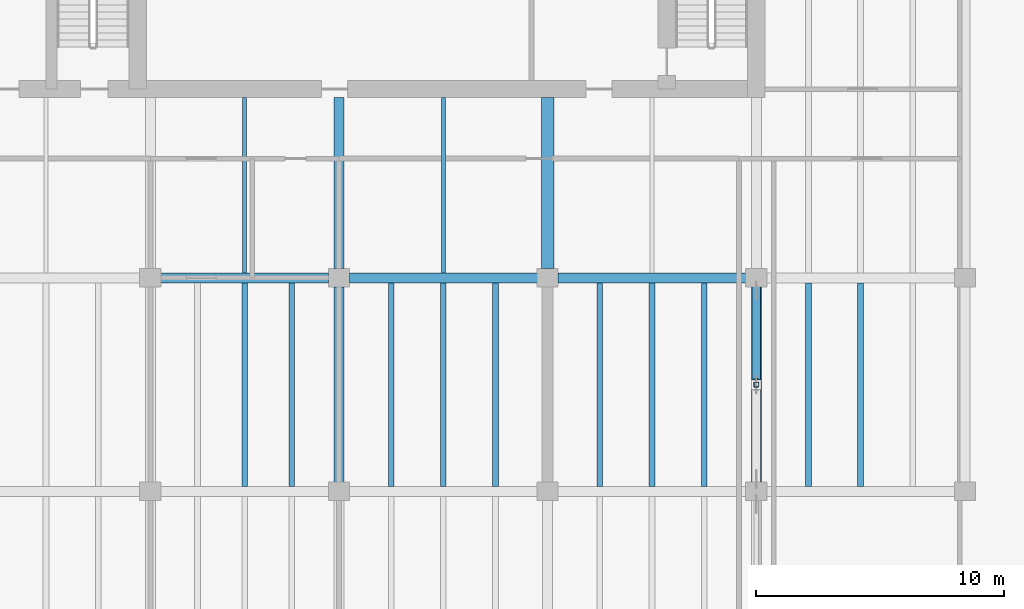
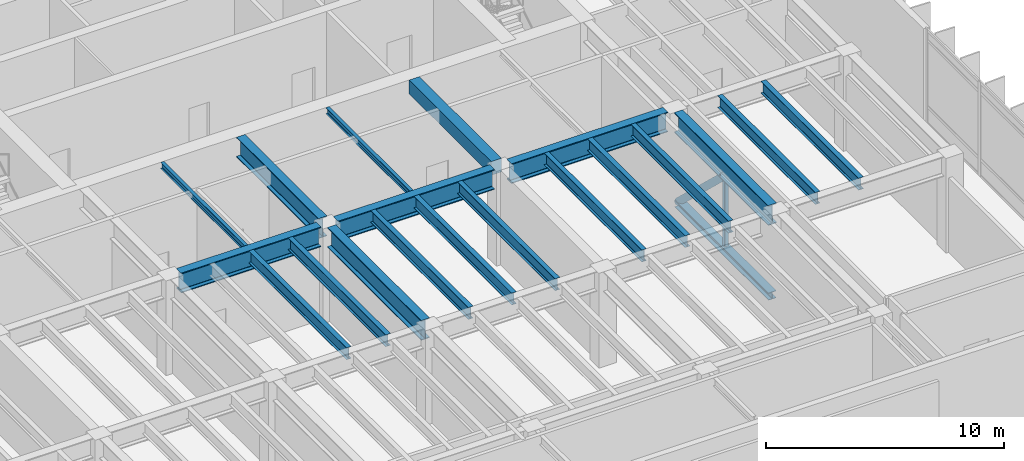
# One storey, part 8 of 23: 20 beams, 2 members.
"""IFC4 building model written with IfcOpenShell, lengths in metres."""

from ifc_helpers import new_model, si_unit, direction, frame, origin, origin_2d, place, context, subcontext, project, spatial, rectangle, hollow_rectangle, hollow_circle, i_section, extrude, material, material_profile, profile_set, type_object, element, save


model = new_model("IFC4")

# Units and contexts
model_context = context("Model", 3, precision=1e-05, world=origin(), true_north=direction((0.0, 1.0)))
body_context = subcontext(model_context, "Body", "Model", "MODEL_VIEW")
ifc_project = project(units=[si_unit("LENGTHUNIT", "METRE"), si_unit("AREAUNIT", "SQUARE_METRE"), si_unit("VOLUMEUNIT", "CUBIC_METRE"), si_unit("PLANEANGLEUNIT", "RADIAN"), si_unit("MASSUNIT", "GRAM", prefix="KILO")], contexts=[model_context])

# Site, building, storey
site_placement = place(None, origin())
site = spatial("IfcSite", under=ifc_project, at=site_placement, CompositionType="ELEMENT")
building_placement = place(site_placement, origin())
building = spatial("IfcBuilding", under=site, at=building_placement, Name="Caelmar Bay Residences", CompositionType="ELEMENT")
storey_placement = place(building_placement, frame((0.0, 0.0, 221.39990234375)))
storey = spatial("IfcBuildingStorey", under=building, at=storey_placement, Name="L62", CompositionType="ELEMENT", Elevation=221.39990234375)

# Beams
ifc_material_1 = material(Name="Steel ASTM A992 Grade 50", Category="steel")
ifc_material_profile_1 = material_profile(ifc_material_1, i_section(OverallWidth=0.373046875, OverallDepth=0.373046875, WebThickness=0.016357421875, FlangeThickness=0.026123046875, FilletRadius=0.01513671875, at=origin_2d()), Name="W14X132")
ifc_profile_set_1 = profile_set([ifc_material_profile_1], Name="Steel ASTM A992 Grade 50")
beam_type_1 = type_object("IfcBeamType", Name="BM-CHD-W14X132", PredefinedType="BEAM", material=ifc_profile_set_1)
beam_1_placement = place(storey_placement, frame((59.5, 21.1650390625, 0.1865234375), z_axis=(0.0, 1.0, 0.0), x_axis=(-1.0, 0.0, 0.0)))
element("IfcBeam", 1, at=beam_1_placement, inside=storey, type_object=beam_type_1, Name="L62 Outrigger Bottom Chord 4", PredefinedType="BEAM", context=body_context, shape_type="SweptSolid", body=[
    extrude(i_section(OverallWidth=0.373046875, OverallDepth=0.373046875, WebThickness=0.016357421875, FlangeThickness=0.026123046875, FilletRadius=0.01513671875, at=origin_2d()), origin(), (0.0, 0.0, 1.0), 7.869873046875),
])
ifc_material_profile_2 = material_profile(ifc_material_1, i_section(OverallWidth=0.404052734375, OverallDepth=1.02099609375, WebThickness=0.025390625, FlangeThickness=0.0458984375, FilletRadius=0.02294921875, at=origin_2d()), Name="W40X324")
ifc_profile_set_2 = profile_set([ifc_material_profile_2], Name="Steel ASTM A992 Grade 50")
beam_type_2 = type_object("IfcBeamType", Name="BM-GRD-W40X324", PredefinedType="BEAM", material=ifc_profile_set_2)
beam_2_placement = place(storey_placement, frame((35.514892578125, 29.39990234375, 4.339599609375), z_axis=(1.0, 0.0, 0.0), x_axis=(0.0, 1.0, 0.0)))
element("IfcBeam", 2, at=beam_2_placement, inside=storey, type_object=beam_type_2, Name="L62 East-West Girder Y=29.40 (35.1-42.7)", PredefinedType="BEAM", context=body_context, shape_type="SweptSolid", body=[
    extrude(i_section(OverallWidth=0.404052734375, OverallDepth=1.02099609375, WebThickness=0.025390625, FlangeThickness=0.0458984375, FilletRadius=0.02294921875, at=origin_2d()), origin(), (0.0, 0.0, 1.0), 6.77001953125),
])
for number, where, z_axis, x_axis, name in (
    (3, (43.114990234375, 29.39990234375, 4.339599609375), (1.0, 0.0, 0.0), (0.0, 1.0, 0.0), "L62 East-West Girder Y=29.40 (42.7-51.1)"),
    (4, (51.514892578125, 29.39990234375, 4.339599609375), (1.0, 0.0, 0.0), (0.0, 1.0, 0.0), "L62 East-West Girder Y=29.40 (51.1-59.5)"),
):
    element("IfcBeam", number, at=place(storey_placement, frame(where, z_axis=z_axis, x_axis=x_axis)), inside=storey, type_object=beam_type_2, Name=name, PredefinedType="BEAM", context=body_context, shape_type="SweptSolid", body=[
        extrude(i_section(OverallWidth=0.404052734375, OverallDepth=1.02099609375, WebThickness=0.025390625, FlangeThickness=0.0458984375, FilletRadius=0.02294921875, at=origin_2d()), origin(), (0.0, 0.0, 1.0), 7.570068359375),
    ])
beam_3_placement = place(storey_placement, frame((42.699951171875, 29.764892578125, 4.339599609375), z_axis=(0.0, 1.0, 0.0), x_axis=(-1.0, 0.0, 0.0)))
element("IfcBeam", 5, at=beam_3_placement, inside=storey, type_object=beam_type_2, Name="L62 Core Tie Girder X=42.70", PredefinedType="BEAM", context=body_context, shape_type="SweptSolid", body=[
    extrude(i_section(OverallWidth=0.404052734375, OverallDepth=1.02099609375, WebThickness=0.025390625, FlangeThickness=0.0458984375, FilletRadius=0.02294921875, at=origin_2d()), origin(), (0.0, 0.0, 1.0), 6.885009765625),
])
for number, where, z_axis, x_axis, name in (
    (6, (42.699951171875, 21.1650390625, 4.339599609375), (0.0, 1.0, 0.0), (-1.0, 0.0, 0.0), "L62 North-South Girder X=42.70 (20.8-29.4)"),
    (7, (59.5, 21.1650390625, 4.339599609375), (0.0, 1.0, 0.0), (-1.0, 0.0, 0.0), "L62 North-South Girder X=59.50 (20.8-29.4)"),
):
    element("IfcBeam", number, at=place(storey_placement, frame(where, z_axis=z_axis, x_axis=x_axis)), inside=storey, type_object=beam_type_2, Name=name, PredefinedType="BEAM", context=body_context, shape_type="SweptSolid", body=[
        extrude(i_section(OverallWidth=0.404052734375, OverallDepth=1.02099609375, WebThickness=0.025390625, FlangeThickness=0.0458984375, FilletRadius=0.02294921875, at=origin_2d()), origin(), (0.0, 0.0, 1.0), 7.869873046875),
    ])
ifc_material_profile_3 = material_profile(ifc_material_1, i_section(OverallWidth=0.1650390625, OverallDepth=0.31005859375, WebThickness=0.005859375, FlangeThickness=0.009765625, FilletRadius=0.007568359375, at=origin_2d()), Name="W12X26")
ifc_profile_set_3 = profile_set([ifc_material_profile_3], Name="Steel ASTM A992 Grade 50")
beam_type_3 = type_object("IfcBeamType", Name="BM-JST-W12X26", PredefinedType="JOIST", material=ifc_profile_set_3)
for number, where, z_axis, x_axis, name in (
    (8, (38.89990234375, 29.60205078125, 4.695068359375), (0.0, 1.0, 0.0), (-1.0, 0.0, 0.0), "L62 Core-Band Composite Joist 39"),
    (9, (46.89990234375, 29.60205078125, 4.695068359375), (0.0, 1.0, 0.0), (-1.0, 0.0, 0.0), "L62 Core-Band Composite Joist 40"),
):
    element("IfcBeam", number, at=place(storey_placement, frame(where, z_axis=z_axis, x_axis=x_axis)), inside=storey, type_object=beam_type_3, Name=name, PredefinedType="JOIST", context=body_context, shape_type="SweptSolid", body=[
        extrude(i_section(OverallWidth=0.1650390625, OverallDepth=0.31005859375, WebThickness=0.005859375, FlangeThickness=0.009765625, FilletRadius=0.007568359375, at=origin_2d()), origin(), (0.0, 0.0, 1.0), 7.0478515625),
    ])
ifc_material_profile_4 = material_profile(ifc_material_1, i_section(OverallWidth=0.22900390625, OverallDepth=0.612060546875, WebThickness=0.011962890625, FlangeThickness=0.01953125, FilletRadius=0.0126953125, at=origin_2d()), Name="W24X84")
ifc_profile_set_4 = profile_set([ifc_material_profile_4], Name="Steel ASTM A992 Grade 50")
beam_type_4 = type_object("IfcBeamType", Name="BM-JST-W24X84", PredefinedType="JOIST", material=ifc_profile_set_4)
for number, where, z_axis, x_axis, name in (
    (10, (38.89990234375, 21.001953125, 4.544189453125), (0.0, 1.0, 0.0), (-1.0, 0.0, 0.0), "L62 Composite Floor Joist 26"),
    (11, (40.800048828125, 21.001953125, 4.544189453125), (0.0, 1.0, 0.0), (-1.0, 0.0, 0.0), "L62 Composite Floor Joist 27"),
    (12, (44.800048828125, 21.001953125, 4.544189453125), (0.0, 1.0, 0.0), (-1.0, 0.0, 0.0), "L62 Composite Floor Joist 28"),
    (13, (46.89990234375, 21.001953125, 4.544189453125), (0.0, 1.0, 0.0), (-1.0, 0.0, 0.0), "L62 Composite Floor Joist 29"),
    (14, (49.0, 21.001953125, 4.544189453125), (0.0, 1.0, 0.0), (-1.0, 0.0, 0.0), "L62 Composite Floor Joist 30"),
    (15, (53.199951171875, 21.001953125, 4.544189453125), (0.0, 1.0, 0.0), (-1.0, 0.0, 0.0), "L62 Composite Floor Joist 31"),
    (16, (55.300048828125, 21.001953125, 4.544189453125), (0.0, 1.0, 0.0), (-1.0, 0.0, 0.0), "L62 Composite Floor Joist 32"),
    (17, (57.39990234375, 21.001953125, 4.544189453125), (0.0, 1.0, 0.0), (-1.0, 0.0, 0.0), "L62 Composite Floor Joist 33"),
    (18, (61.60009765625, 21.001953125, 4.544189453125), (0.0, 1.0, 0.0), (-1.0, 0.0, 0.0), "L62 Composite Floor Joist 34"),
    (19, (63.699951171875, 21.001953125, 4.544189453125), (0.0, 1.0, 0.0), (-1.0, 0.0, 0.0), "L62 Composite Floor Joist 35"),
):
    element("IfcBeam", number, at=place(storey_placement, frame(where, z_axis=z_axis, x_axis=x_axis)), inside=storey, type_object=beam_type_4, Name=name, PredefinedType="JOIST", context=body_context, shape_type="SweptSolid", body=[
        extrude(i_section(OverallWidth=0.22900390625, OverallDepth=0.612060546875, WebThickness=0.011962890625, FlangeThickness=0.01953125, FilletRadius=0.0126953125, at=origin_2d()), origin(), (0.0, 0.0, 1.0), 8.196044921875),
    ])
ifc_material_2 = material(Name="Concrete f'c 55 MPa (8,000 psi)", Category="concrete")
ifc_material_profile_5 = material_profile(ifc_material_2, rectangle(XDim=0.5, YDim=0.699951171875, at=origin_2d()), Name="RC-BM-500X700")
ifc_profile_set_5 = profile_set([ifc_material_profile_5], Name="Concrete f'c 55 MPa (8,000 psi)")
beam_type_5 = type_object("IfcBeamType", Name="BM-RC-500X700", PredefinedType="LINTEL", material=ifc_profile_set_5)
beam_4_placement = place(storey_placement, frame((51.10009765625, 29.764892578125, 4.5), z_axis=(0.0, 1.0, 0.0), x_axis=(-1.0, 0.0, 0.0)))
element("IfcBeam", 20, at=beam_4_placement, inside=storey, type_object=beam_type_5, Name="L62 Shear-Wall Corridor Coupling Lintel E8", PredefinedType="LINTEL", context=body_context, shape_type="SweptSolid", body=[
    extrude(rectangle(XDim=0.5, YDim=0.699951171875, at=origin_2d()), origin(), (0.0, 0.0, 1.0), 6.885009765625),
])

# Members
ifc_material_3 = material(Name="Steel ASTM A500 Grade C", Category="steel")
ifc_material_profile_6 = material_profile(ifc_material_3, hollow_circle(Radius=0.177978515625, WallThickness=0.017578125, at=origin_2d()), Name="CHS356X19.1")
ifc_profile_set_6 = profile_set([ifc_material_profile_6], Name="Steel ASTM A500 Grade C")
member_type_1 = type_object("IfcMemberType", Name="MEM-OUT-CHS356", PredefinedType="BRACE", material=ifc_profile_set_6)
member_1_placement = place(storey_placement, frame((59.5, 29.034912109375, 0.22021484375), z_axis=(0.0, -0.725038820171, 0.688707999987), x_axis=(1.0, 0.0, 0.0)))
element("IfcMember", 21, at=member_1_placement, inside=storey, type_object=member_type_1, Name="L62 Outrigger Secondary Diagonal 4B", PredefinedType="BRACE", context=body_context, shape_type="SweptSolid", body=[
    extrude(hollow_circle(Radius=0.177978515625, WallThickness=0.017578125, at=origin_2d()), origin(), (0.0, 0.0, 1.0), 5.26171875),
])
ifc_material_profile_7 = material_profile(ifc_material_3, hollow_rectangle(XDim=0.202880859375, YDim=0.202880859375, WallThickness=0.01171875, InnerFilletRadius=0.01171875, OuterFilletRadius=0.023681640625, at=origin_2d()), Name="HSS200X200X12.7")
ifc_profile_set_7 = profile_set([ifc_material_profile_7], Name="Steel ASTM A500 Grade C")
member_type_2 = type_object("IfcMemberType", Name="MEM-PST-HSS200", PredefinedType="POST", material=ifc_profile_set_7)
member_2_placement = place(storey_placement, frame((59.5, 25.10009765625, 0.373046875), z_axis=(0.0, 0.0, 1.0), x_axis=(1.0, 0.0, 0.0)))
element("IfcMember", 22, at=member_2_placement, inside=storey, type_object=member_type_2, Name="L62 Outrigger Web Post 4", PredefinedType="POST", context=body_context, shape_type="SweptSolid", body=[
    extrude(hollow_rectangle(XDim=0.202880859375, YDim=0.202880859375, WallThickness=0.01171875, InnerFilletRadius=0.01171875, OuterFilletRadius=0.023681640625, at=origin_2d()), origin(), (0.0, 0.0, 1.0), 3.470947265625),
])

save(model, "model.ifc")
